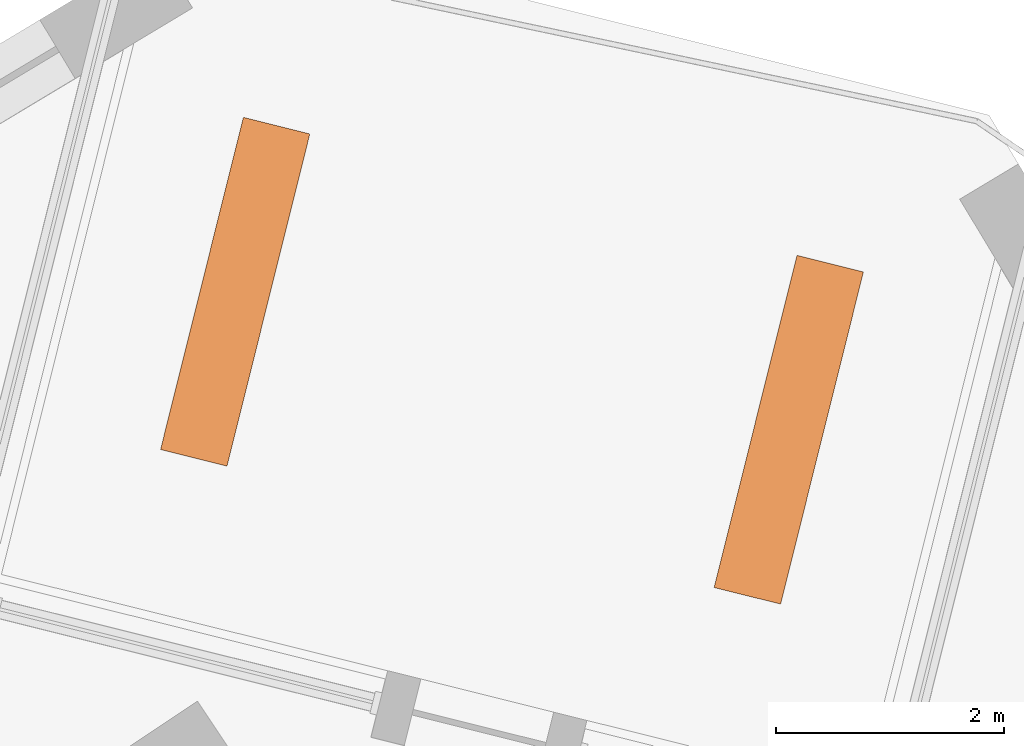
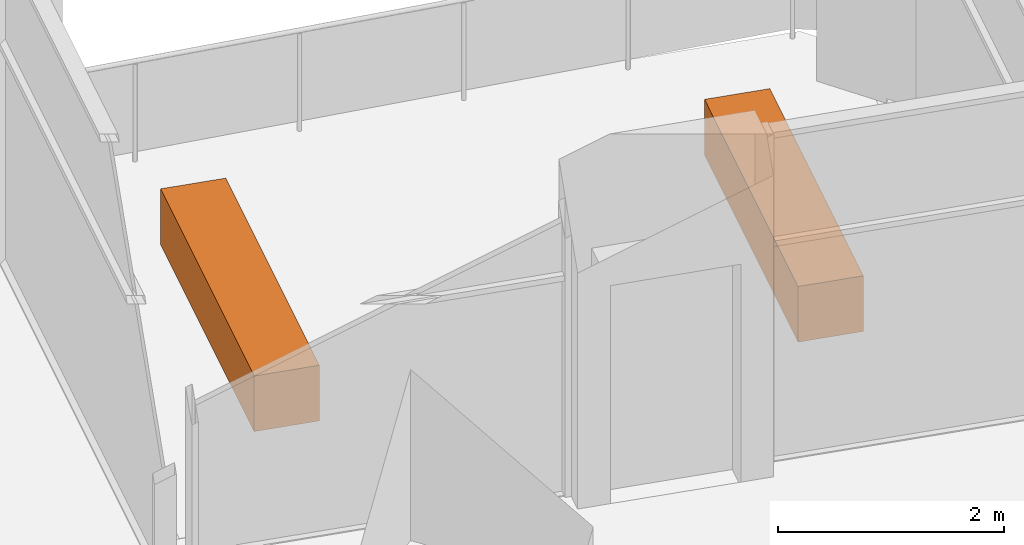
# One storey, part 14 of 14: 2 proxies.
"""IFC4 building model written with IfcOpenShell, lengths in metres."""

import ifcopenshell
import ifcopenshell.guid

model = None  # the IFC model being written
_history = None  # IfcOwnerHistory: only IFC2X3 demands one
_inside = {}  # id of a spatial element -> (the spatial element, [elements in it])
_under = {}  # id of a project, library or spatial element -> (it, [spatial elements below it])
_declared = {}  # id of a project -> (the project, [libraries it declares])
_typed = {}  # id of a type object -> (the type object, [elements of that type])
_made_of = {}  # id of a material, layer set ... -> (it, [elements and type objects made of it])


def new_model(schema):
    """Start an empty IFC model of exactly this schema.

    Asked for "IFC4X3", IfcOpenShell would pick the latest addendum, in which some entities
    have other attributes; the version numbers below select the first issue.
    IFC2X3 requires an IfcOwnerHistory on every rooted entity: one is made here for all.
    """
    global model, _history
    if schema == "IFC4X3":
        model = ifcopenshell.file(schema_version=(4, 3, 0, 0))
    else:
        model = ifcopenshell.file(schema=schema)
    _inside.clear()
    _under.clear()
    _declared.clear()
    _typed.clear()
    _made_of.clear()
    _history = None
    if model.schema == "IFC2X3":
        org = make("IfcOrganization", Name="unknown")
        user = make(
            "IfcPersonAndOrganization",
            ThePerson=make("IfcPerson", FamilyName="unknown"),
            TheOrganization=org,
        )
        app = make(
            "IfcApplication",
            ApplicationDeveloper=org,
            Version="unknown",
            ApplicationFullName="unknown",
            ApplicationIdentifier="unknown",
        )
        _history = make(
            "IfcOwnerHistory",
            OwningUser=user,
            OwningApplication=app,
            ChangeAction="ADDED",
            CreationDate=0,
        )
    return model


def make(cls, **values):
    """One entity of the class cls with the attributes given. An attribute that is None is left unset."""
    return model.create_entity(
        cls, **{name: value for name, value in values.items() if value is not None}
    )


def rooted(cls, **values):
    """An entity with a GlobalId (a new one), such as an element, a storey or a relation."""
    return make(cls, GlobalId=ifcopenshell.guid.new(), OwnerHistory=_history, **values)


def si_unit(unit_type, name, prefix=None):
    """IfcSIUnit, for example si_unit("LENGTHUNIT", "METRE", prefix="MILLI")."""
    return make("IfcSIUnit", UnitType=unit_type, Prefix=prefix, Name=name)


def assignment(units):
    """IfcUnitAssignment: the units of a project."""
    return None if units is None else make("IfcUnitAssignment", Units=units)


def point(xyz):
    """IfcCartesianPoint."""
    return None if xyz is None else make("IfcCartesianPoint", Coordinates=xyz)


def direction(xyz):
    """IfcDirection."""
    return None if xyz is None else make("IfcDirection", DirectionRatios=xyz)


def frame(location, z_axis=None, x_axis=None):
    """IfcAxis2Placement3D, a coordinate frame: its origin and axes. An axis left out is left unset."""
    return make(
        "IfcAxis2Placement3D",
        Location=point(location),
        Axis=direction(z_axis),
        RefDirection=direction(x_axis),
    )


def frame_2d(location, x_axis=None):
    """IfcAxis2Placement2D, a coordinate frame in the plane: its origin and x axis."""
    return make(
        "IfcAxis2Placement2D", Location=point(location), RefDirection=direction(x_axis)
    )


def origin():
    """The frame at (0, 0, 0) with its axes left unset."""
    return frame((0.0, 0.0, 0.0))


def origin_2d():
    """The frame at (0, 0) in the plane with its x axis left unset."""
    return frame_2d((0.0, 0.0))


def place(relative_to, where):
    """IfcLocalPlacement: puts the frame where relative to a parent placement (None: the world)."""
    return make(
        "IfcLocalPlacement", PlacementRelTo=relative_to, RelativePlacement=where
    )


def context(
    kind, dimensions, precision=None, world=None, true_north=None, identifier=None
):
    """IfcGeometricRepresentationContext, for example the 3D "Model" context."""
    return make(
        "IfcGeometricRepresentationContext",
        ContextIdentifier=identifier,
        ContextType=kind,
        CoordinateSpaceDimension=dimensions,
        Precision=precision,
        WorldCoordinateSystem=world,
        TrueNorth=true_north,
    )


def subcontext(parent, identifier, kind, view, scale=None):
    """IfcGeometricRepresentationSubContext, for example "Body" below "Model"."""
    return make(
        "IfcGeometricRepresentationSubContext",
        ContextIdentifier=identifier,
        ContextType=kind,
        ParentContext=parent,
        TargetScale=scale,
        TargetView=view,
    )


def project(units=None, contexts=None):
    """IfcProject with its units and contexts."""
    return rooted(
        "IfcProject",
        Name="project",
        RepresentationContexts=contexts,
        UnitsInContext=assignment(units),
    )


def spatial(cls, under=None, at=None, **own):
    """A site, building, storey or space (cls), placed at a placement, below another one or the project."""
    s = rooted(cls, ObjectPlacement=at, **own)
    if under is not None:
        _under.setdefault(under.id(), (under, []))[1].append(s)
    return s


def profile(cls, at=None, kind="AREA", **sizes):
    """A parametric profile (cls). Its sizes go by their IFC names, for example OverallWidth=200.0."""
    return make(cls, ProfileType=kind, Position=at, **sizes)


def rectangle(**sizes):
    """IfcRectangleProfileDef."""
    return profile("IfcRectangleProfileDef", **sizes)


def extrude(swept, where, along, depth):
    """IfcExtrudedAreaSolid: the profile swept, set in the frame where, extruded along a direction by depth."""
    return make(
        "IfcExtrudedAreaSolid",
        SweptArea=swept,
        Position=where,
        ExtrudedDirection=direction(along),
        Depth=depth,
    )


def shape(context_of_items, identifier, shape_type, items):
    """IfcShapeRepresentation: the items that make up one representation, for example the "Body"."""
    return make(
        "IfcShapeRepresentation",
        ContextOfItems=context_of_items,
        RepresentationIdentifier=identifier,
        RepresentationType=shape_type,
        Items=items,
    )


def made_of(thing, what):
    """Note that an element or type object is made of a material, layer set ...; save() writes the relation."""
    if what is not None:
        _made_of.setdefault(what.id(), (what, []))[1].append(thing)
    return thing


def element(
    cls,
    number,
    at=None,
    inside=None,
    cuts=None,
    type_object=None,
    material=None,
    context=None,
    identifier="Body",
    shape_type=None,
    held_by="IfcProductDefinitionShape",
    body=None,
    shapes=None,
    **own,
):
    """One element of the class cls, such as IfcWall. Its Tag is "e" and its number.

    at: its placement. inside: the storey or other place that contains it. cuts: it is an
    opening in that element (IfcRelVoidsElement). A single representation is given by context,
    identifier, shape_type and body (its items); several are given by shapes. held_by: the class
    of the entity that holds the representations. save() writes the other relations.
    """
    e = rooted(cls, Tag="e%d" % number, ObjectPlacement=at, **own)
    if body is not None:
        shapes = [shape(context, identifier, shape_type, body)]
    if shapes is not None:
        e.Representation = make(held_by, Representations=shapes)
    if inside is not None:
        _inside.setdefault(inside.id(), (inside, []))[1].append(e)
    if cuts is not None:
        rooted(
            "IfcRelVoidsElement", RelatingBuildingElement=cuts, RelatedOpeningElement=e
        )
    if type_object is not None:
        _typed.setdefault(type_object.id(), (type_object, []))[1].append(e)
    return made_of(e, material)


def aggregate(whole, parts):
    """IfcRelAggregates: a whole, such as a stair, and the parts it consists of."""
    return rooted("IfcRelAggregates", RelatingObject=whole, RelatedObjects=parts)


def save(model, path):
    """Write the relations noted so far, then the file.

    IfcRelAggregates (storeys below a building ...), IfcRelContainedInSpatialStructure (elements
    in a storey), IfcRelDefinesByType, IfcRelAssociatesMaterial and IfcRelDeclares: one each for
    every whole, place, type object, material and project.
    """
    for whole, parts in _under.values():
        aggregate(whole, parts)
    for where, things in _inside.values():
        rooted(
            "IfcRelContainedInSpatialStructure",
            RelatedElements=things,
            RelatingStructure=where,
        )
    for kind, things in _typed.values():
        rooted("IfcRelDefinesByType", RelatedObjects=things, RelatingType=kind)
    for what, things in _made_of.values():
        rooted("IfcRelAssociatesMaterial", RelatedObjects=things, RelatingMaterial=what)
    for by, libraries in _declared.values():
        rooted("IfcRelDeclares", RelatingContext=by, RelatedDefinitions=libraries)
    model.write(path)


model = new_model("IFC4")

# Units and contexts
model_context = context("Model", 3, precision=1e-05, world=origin(), true_north=direction((0.0, 1.0)))
body_context = subcontext(model_context, "Body", "Model", "MODEL_VIEW")
ifc_project = project(units=[si_unit("LENGTHUNIT", "METRE"), si_unit("AREAUNIT", "SQUARE_METRE"), si_unit("VOLUMEUNIT", "CUBIC_METRE"), si_unit("PLANEANGLEUNIT", "RADIAN"), si_unit("MASSUNIT", "GRAM", prefix="KILO")], contexts=[model_context])

# Site, building, storey
site_placement = place(None, origin())
site = spatial("IfcSite", under=ifc_project, at=site_placement, CompositionType="ELEMENT")
building_placement = place(site_placement, origin())
building = spatial("IfcBuilding", under=site, at=building_placement, Name="Dilmun Exchange Tower", CompositionType="ELEMENT")
storey_placement = place(building_placement, frame((0.0, 0.0, 147.699951171875)))
storey = spatial("IfcBuildingStorey", under=building, at=storey_placement, Name="L34", CompositionType="ELEMENT", Elevation=147.699951171875)

# Proxies
for number, where, z_axis, x_axis, name in (
    (1, (12.9384765625, 31.037109375, 0.0), (0.0, 0.0, 1.0), (0.2419218956, 0.970295726276, 0.0), "PLANTER Desert shrub L34.1"),
    (2, (8.0869140625, 32.24658203125, 0.0), (0.0, 0.0, 1.0), (0.2419218956, 0.970295726276, 0.0), "PLANTER Desert shrub L34.2"),
):
    element("IfcBuildingElementProxy", number, at=place(storey_placement, frame(where, z_axis=z_axis, x_axis=x_axis)), inside=storey, Name=name, ObjectType="PLANTER", PredefinedType="USERDEFINED", context=body_context, shape_type="SweptSolid", body=[
        extrude(rectangle(XDim=3.0, YDim=0.60009765625, at=origin_2d()), origin(), (0.0, 0.0, 1.0), 0.60009765625),
    ])

save(model, "model.ifc")
